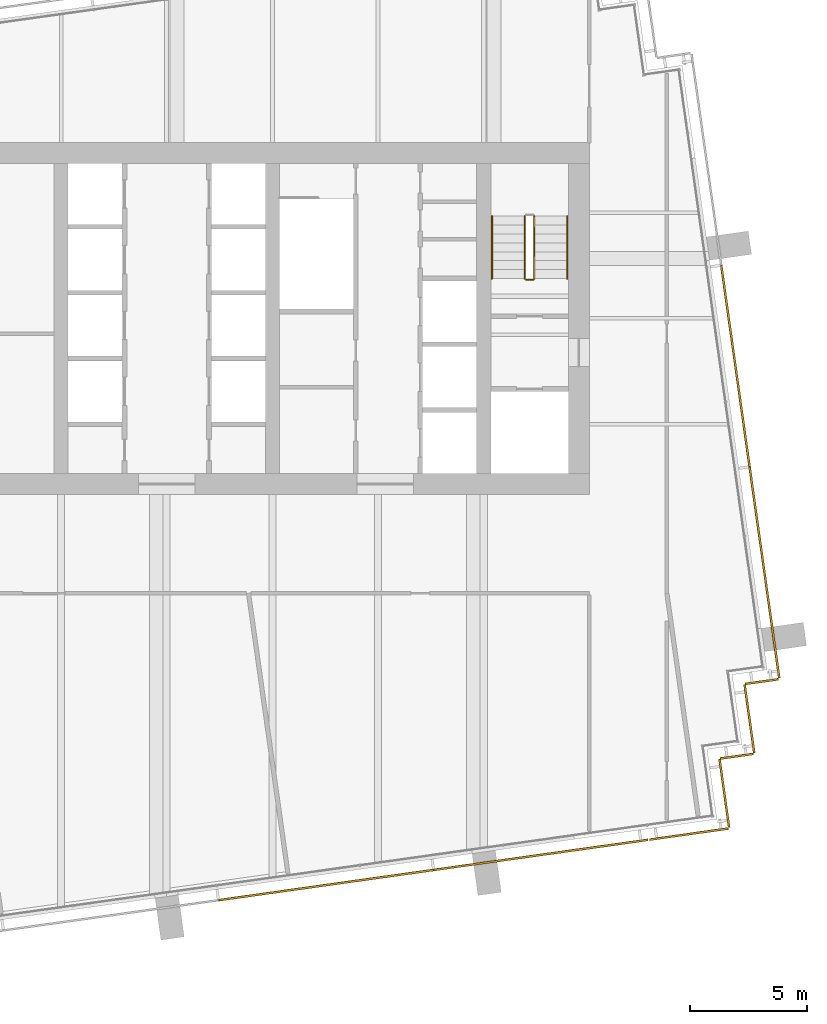
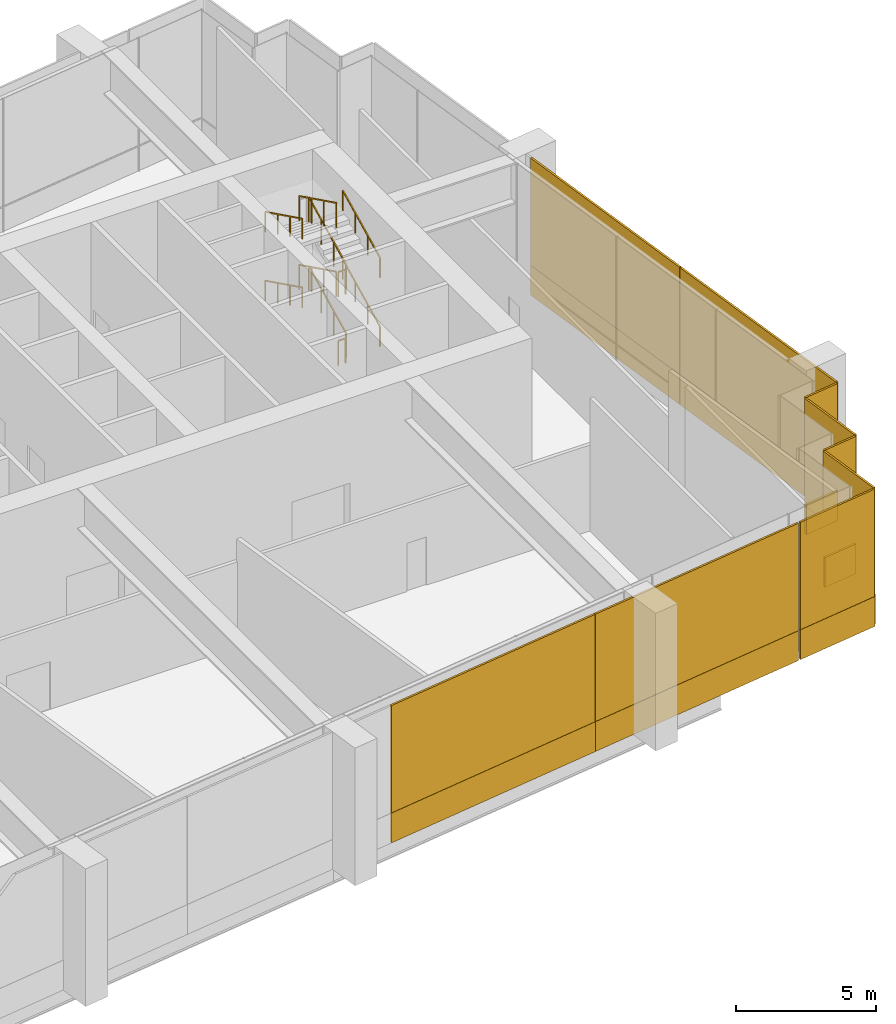
# One storey, part 23 of 25: 18 coverings, 10 railings.
"""IFC4 building model written with IfcOpenShell, lengths in metres."""

from ifc_helpers import new_model, si_unit, direction, frame, origin, origin_2d, place, context, subcontext, project, spatial, rectangle, extrude, material, layer, layer_set, type_object, element, save


model = new_model("IFC4")

# Units and contexts
model_context = context("Model", 3, precision=1e-05, world=origin(), true_north=direction((0.0, 1.0)))
body_context = subcontext(model_context, "Body", "Model", "MODEL_VIEW")
ifc_project = project(units=[si_unit("LENGTHUNIT", "METRE"), si_unit("AREAUNIT", "SQUARE_METRE"), si_unit("VOLUMEUNIT", "CUBIC_METRE"), si_unit("PLANEANGLEUNIT", "RADIAN"), si_unit("MASSUNIT", "GRAM", prefix="KILO")], contexts=[model_context])

# Site, building, storey
site_placement = place(None, origin())
site = spatial("IfcSite", under=ifc_project, at=site_placement, CompositionType="ELEMENT")
building_placement = place(site_placement, origin())
building = spatial("IfcBuilding", under=site, at=building_placement, Name="Rattan Terrace Tower", CompositionType="ELEMENT")
storey_placement = place(building_placement, frame((0.0, 0.0, 286.300048828125)))
storey = spatial("IfcBuildingStorey", under=building, at=storey_placement, Name="L66", CompositionType="ELEMENT", Elevation=286.300048828125)

# Railings
ifc_material_1 = material(Name="Powder-coated steel guard", Category="steel")
railing_type_1 = type_object("IfcRailingType", Name="Core stair guard", PredefinedType="GUARDRAIL", material=ifc_material_1)
railing_1_placement = place(storey_placement, frame((15.64990234375, 1.699951171875, 0.1875)))
element("IfcRailing", 1, at=railing_1_placement, inside=storey, type_object=railing_type_1, Name="L66 S2 stair guard 1", PredefinedType="GUARDRAIL", context=body_context, shape_type="SweptSolid", body=[
    extrude(rectangle(XDim=0.048095703125, YDim=0.048095703125, at=origin_2d()), frame((0.0, 0.0, 1.076171875), z_axis=(0.0, 0.896784984146, 0.442466600107), x_axis=(-1.0, 0.0, 0.0)), (0.0, 0.0, 1.0), 2.96630859375),
    extrude(rectangle(XDim=0.0419921875, YDim=0.0419921875, at=origin_2d()), origin(), (0.0, 0.0, 1.0), 1.052001953125),
    extrude(rectangle(XDim=0.0419921875, YDim=0.0419921875, at=origin_2d()), frame((0.0, 0.88671875, 0.4375)), (0.0, 0.0, 1.0), 1.052001953125),
    extrude(rectangle(XDim=0.0419921875, YDim=0.0419921875, at=origin_2d()), frame((0.0, 1.7734375, 0.875)), (0.0, 0.0, 1.0), 1.052001953125),
    extrude(rectangle(XDim=0.0419921875, YDim=0.0419921875, at=origin_2d()), frame((0.0, 2.66015625, 1.3125)), (0.0, 0.0, 1.0), 1.052001953125),
])
railing_2_placement = place(storey_placement, frame((15.25, 4.360107421875, 1.6875)))
element("IfcRailing", 2, at=railing_2_placement, inside=storey, type_object=railing_type_1, Name="L66 S2 stair guard 3", PredefinedType="GUARDRAIL", context=body_context, shape_type="SweptSolid", body=[
    extrude(rectangle(XDim=0.048095703125, YDim=0.048095703125, at=origin_2d()), frame((0.0, 0.0, 1.076171875), z_axis=(0.0, -0.896784984146, 0.442466600107), x_axis=(1.0, 0.0, 0.0)), (0.0, 0.0, 1.0), 2.96630859375),
    extrude(rectangle(XDim=0.0419921875, YDim=0.0419921875, at=origin_2d()), origin(), (0.0, 0.0, 1.0), 1.052001953125),
    extrude(rectangle(XDim=0.0419921875, YDim=0.0419921875, at=origin_2d()), frame((0.0, -0.88671875, 0.4375)), (0.0, 0.0, 1.0), 1.052001953125),
    extrude(rectangle(XDim=0.0419921875, YDim=0.0419921875, at=origin_2d()), frame((0.0, -1.7734375, 0.875)), (0.0, 0.0, 1.0), 1.052001953125),
    extrude(rectangle(XDim=0.0419921875, YDim=0.0419921875, at=origin_2d()), frame((0.0, -2.66015625, 1.3125)), (0.0, 0.0, 1.0), 1.052001953125),
])
railing_3_placement = place(storey_placement, frame((15.60009765625, 1.64990234375, 3.0)))
element("IfcRailing", 3, at=railing_3_placement, inside=storey, type_object=railing_type_1, Name="L66 S2 stair guard 4", PredefinedType="GUARDRAIL", context=body_context, shape_type="SweptSolid", body=[
    extrude(rectangle(XDim=0.048095703125, YDim=0.048095703125, at=origin_2d()), frame((0.0, 0.0, 1.076171875), z_axis=(-1.0, 0.0, 0.0), x_axis=(0.0, -1.0, 0.0)), (0.0, 0.0, 1.0), 0.300048828125),
    extrude(rectangle(XDim=0.0419921875, YDim=0.0419921875, at=origin_2d()), origin(), (0.0, 0.0, 1.0), 1.052001953125),
    extrude(rectangle(XDim=0.0419921875, YDim=0.0419921875, at=origin_2d()), frame((-0.300048828125, 0.0, 0.0)), (0.0, 0.0, 1.0), 1.052001953125),
])
railing_4_placement = place(storey_placement, frame((15.64990234375, 1.699951171875, 3.1875)))
element("IfcRailing", 4, at=railing_4_placement, inside=storey, type_object=railing_type_1, Name="L66 S2 stair guard 5", PredefinedType="GUARDRAIL", context=body_context, shape_type="SweptSolid", body=[
    extrude(rectangle(XDim=0.048095703125, YDim=0.048095703125, at=origin_2d()), frame((0.0, 0.0, 1.076171875), z_axis=(0.0, 0.896784984146, 0.442466600107), x_axis=(-1.0, 0.0, 0.0)), (0.0, 0.0, 1.0), 2.96630859375),
    extrude(rectangle(XDim=0.0419921875, YDim=0.0419921875, at=origin_2d()), origin(), (0.0, 0.0, 1.0), 1.052001953125),
    extrude(rectangle(XDim=0.0419921875, YDim=0.0419921875, at=origin_2d()), frame((0.0, 0.88671875, 0.4375)), (0.0, 0.0, 1.0), 1.052001953125),
    extrude(rectangle(XDim=0.0419921875, YDim=0.0419921875, at=origin_2d()), frame((0.0, 1.7734375, 0.875)), (0.0, 0.0, 1.0), 1.052001953125),
    extrude(rectangle(XDim=0.0419921875, YDim=0.0419921875, at=origin_2d()), frame((0.0, 2.66015625, 1.3125)), (0.0, 0.0, 1.0), 1.052001953125),
])
railing_5_placement = place(storey_placement, frame((15.25, 4.360107421875, 4.6875)))
element("IfcRailing", 5, at=railing_5_placement, inside=storey, type_object=railing_type_1, Name="L66 S2 stair guard 7", PredefinedType="GUARDRAIL", context=body_context, shape_type="SweptSolid", body=[
    extrude(rectangle(XDim=0.048095703125, YDim=0.048095703125, at=origin_2d()), frame((0.0, 0.0, 1.076171875), z_axis=(0.0, -0.896784984146, 0.442466600107), x_axis=(1.0, 0.0, 0.0)), (0.0, 0.0, 1.0), 2.96630859375),
    extrude(rectangle(XDim=0.0419921875, YDim=0.0419921875, at=origin_2d()), origin(), (0.0, 0.0, 1.0), 1.052001953125),
    extrude(rectangle(XDim=0.0419921875, YDim=0.0419921875, at=origin_2d()), frame((0.0, -0.88671875, 0.4375)), (0.0, 0.0, 1.0), 1.052001953125),
    extrude(rectangle(XDim=0.0419921875, YDim=0.0419921875, at=origin_2d()), frame((0.0, -1.7734375, 0.875)), (0.0, 0.0, 1.0), 1.052001953125),
    extrude(rectangle(XDim=0.0419921875, YDim=0.0419921875, at=origin_2d()), frame((0.0, -2.66015625, 1.3125)), (0.0, 0.0, 1.0), 1.052001953125),
])
railing_6_placement = place(storey_placement, frame((15.60009765625, 1.64990234375, 0.0)))
element("IfcRailing", 6, at=railing_6_placement, inside=storey, type_object=railing_type_1, Name="L66 S2 stair guard 8", PredefinedType="GUARDRAIL", context=body_context, shape_type="SweptSolid", body=[
    extrude(rectangle(XDim=0.048095703125, YDim=0.048095703125, at=origin_2d()), frame((0.0, 0.0, 1.076171875), z_axis=(-1.0, 0.0, 0.0), x_axis=(0.0, -1.0, 0.0)), (0.0, 0.0, 1.0), 0.300048828125),
    extrude(rectangle(XDim=0.0419921875, YDim=0.0419921875, at=origin_2d()), origin(), (0.0, 0.0, 1.0), 1.052001953125),
    extrude(rectangle(XDim=0.0419921875, YDim=0.0419921875, at=origin_2d()), frame((-0.300048828125, 0.0, 0.0)), (0.0, 0.0, 1.0), 1.052001953125),
])
ifc_material_2 = material(Name="Powder-coated steel handrail", Category="steel")
railing_type_2 = type_object("IfcRailingType", Name="Core stair handrail", PredefinedType="HANDRAIL", material=ifc_material_2)
railing_7_placement = place(storey_placement, frame((17.050048828125, 1.699951171875, 0.1875)))
element("IfcRailing", 7, at=railing_7_placement, inside=storey, type_object=railing_type_2, Name="L66 S2 stair handrail 1", PredefinedType="HANDRAIL", context=body_context, shape_type="SweptSolid", body=[
    extrude(rectangle(XDim=0.048095703125, YDim=0.048095703125, at=origin_2d()), frame((0.0, 0.0, 0.8759765625), z_axis=(0.0, 0.896784984146, 0.442466600107), x_axis=(-1.0, 0.0, 0.0)), (0.0, 0.0, 1.0), 2.96630859375),
    extrude(rectangle(XDim=0.0419921875, YDim=0.0419921875, at=origin_2d()), origin(), (0.0, 0.0, 1.0), 0.851806640625),
    extrude(rectangle(XDim=0.0419921875, YDim=0.0419921875, at=origin_2d()), frame((0.0, 0.88671875, 0.4375)), (0.0, 0.0, 1.0), 0.851806640625),
    extrude(rectangle(XDim=0.0419921875, YDim=0.0419921875, at=origin_2d()), frame((0.0, 1.7734375, 0.875)), (0.0, 0.0, 1.0), 0.851806640625),
    extrude(rectangle(XDim=0.0419921875, YDim=0.0419921875, at=origin_2d()), frame((0.0, 2.66015625, 1.3125)), (0.0, 0.0, 1.0), 0.851806640625),
])
railing_8_placement = place(storey_placement, frame((13.85009765625, 4.360107421875, 1.6875)))
element("IfcRailing", 8, at=railing_8_placement, inside=storey, type_object=railing_type_2, Name="L66 S2 stair handrail 2", PredefinedType="HANDRAIL", context=body_context, shape_type="SweptSolid", body=[
    extrude(rectangle(XDim=0.048095703125, YDim=0.048095703125, at=origin_2d()), frame((0.0, 0.0, 0.8759765625), z_axis=(0.0, -0.896784984146, 0.442466600107), x_axis=(1.0, 0.0, 0.0)), (0.0, 0.0, 1.0), 2.96630859375),
    extrude(rectangle(XDim=0.0419921875, YDim=0.0419921875, at=origin_2d()), origin(), (0.0, 0.0, 1.0), 0.851806640625),
    extrude(rectangle(XDim=0.0419921875, YDim=0.0419921875, at=origin_2d()), frame((0.0, -0.88671875, 0.4375)), (0.0, 0.0, 1.0), 0.851806640625),
    extrude(rectangle(XDim=0.0419921875, YDim=0.0419921875, at=origin_2d()), frame((0.0, -1.7734375, 0.875)), (0.0, 0.0, 1.0), 0.851806640625),
    extrude(rectangle(XDim=0.0419921875, YDim=0.0419921875, at=origin_2d()), frame((0.0, -2.66015625, 1.3125)), (0.0, 0.0, 1.0), 0.851806640625),
])
railing_9_placement = place(storey_placement, frame((17.050048828125, 1.699951171875, 3.1875)))
element("IfcRailing", 9, at=railing_9_placement, inside=storey, type_object=railing_type_2, Name="L66 S2 stair handrail 3", PredefinedType="HANDRAIL", context=body_context, shape_type="SweptSolid", body=[
    extrude(rectangle(XDim=0.048095703125, YDim=0.048095703125, at=origin_2d()), frame((0.0, 0.0, 0.8759765625), z_axis=(0.0, 0.896784984146, 0.442466600107), x_axis=(-1.0, 0.0, 0.0)), (0.0, 0.0, 1.0), 2.96630859375),
    extrude(rectangle(XDim=0.0419921875, YDim=0.0419921875, at=origin_2d()), origin(), (0.0, 0.0, 1.0), 0.851806640625),
    extrude(rectangle(XDim=0.0419921875, YDim=0.0419921875, at=origin_2d()), frame((0.0, 0.88671875, 0.4375)), (0.0, 0.0, 1.0), 0.851806640625),
    extrude(rectangle(XDim=0.0419921875, YDim=0.0419921875, at=origin_2d()), frame((0.0, 1.7734375, 0.875)), (0.0, 0.0, 1.0), 0.851806640625),
    extrude(rectangle(XDim=0.0419921875, YDim=0.0419921875, at=origin_2d()), frame((0.0, 2.66015625, 1.3125)), (0.0, 0.0, 1.0), 0.851806640625),
])
railing_10_placement = place(storey_placement, frame((13.85009765625, 4.360107421875, 4.6875)))
element("IfcRailing", 10, at=railing_10_placement, inside=storey, type_object=railing_type_2, Name="L66 S2 stair handrail 4", PredefinedType="HANDRAIL", context=body_context, shape_type="SweptSolid", body=[
    extrude(rectangle(XDim=0.048095703125, YDim=0.048095703125, at=origin_2d()), frame((0.0, 0.0, 0.8759765625), z_axis=(0.0, -0.896784984146, 0.442466600107), x_axis=(1.0, 0.0, 0.0)), (0.0, 0.0, 1.0), 2.96630859375),
    extrude(rectangle(XDim=0.0419921875, YDim=0.0419921875, at=origin_2d()), origin(), (0.0, 0.0, 1.0), 0.851806640625),
    extrude(rectangle(XDim=0.0419921875, YDim=0.0419921875, at=origin_2d()), frame((0.0, -0.88671875, 0.4375)), (0.0, 0.0, 1.0), 0.851806640625),
    extrude(rectangle(XDim=0.0419921875, YDim=0.0419921875, at=origin_2d()), frame((0.0, -1.7734375, 0.875)), (0.0, 0.0, 1.0), 0.851806640625),
    extrude(rectangle(XDim=0.0419921875, YDim=0.0419921875, at=origin_2d()), frame((0.0, -2.66015625, 1.3125)), (0.0, 0.0, 1.0), 0.851806640625),
])

# Coverings
ifc_material_3 = material(Name="Solid terracotta", Category="masonry")
ifc_layer_1 = layer(ifc_material_3, 0.090087890625)
ifc_layer_set_1 = layer_set([ifc_layer_1], Name="Facade Terracotta Band Panel HZ")
covering_type_1 = type_object("IfcCoveringType", Name="Facade Terracotta Band Panel HZ", PredefinedType="CLADDING", material=ifc_layer_set_1)
covering_1_placement = place(storey_placement, frame((22.237060546875, -21.960693359375, -0.18994140625), z_axis=(0.0, 0.0, 1.0), x_axis=(0.990293172258, 0.138994363123, 0.0)))
element("IfcCovering", 11, at=covering_1_placement, inside=storey, type_object=covering_type_1, Name="OUTER SKIN panel L66-1A", PredefinedType="CLADDING", context=body_context, shape_type="SweptSolid", body=[
    extrude(rectangle(XDim=3.3701171875, YDim=0.090087890625, at=origin_2d()), origin(), (0.0, 0.0, 1.0), 1.300048828125),
])
covering_2_placement = place(storey_placement, frame((23.74951171875, -20.218505859375, -0.18994140625), z_axis=(0.0, 0.0, 1.0), x_axis=(-0.138994363123, 0.990293172258, 0.0)))
element("IfcCovering", 12, at=covering_2_placement, inside=storey, type_object=covering_type_1, Name="OUTER SKIN panel L66-2A", PredefinedType="CLADDING", context=body_context, shape_type="SweptSolid", body=[
    extrude(rectangle(XDim=2.92041015625, YDim=0.090087890625, at=origin_2d()), origin(), (0.0, 0.0, 1.0), 1.300048828125),
])
covering_3_placement = place(storey_placement, frame((24.270751953125, -18.645263671875, -0.18994140625), z_axis=(0.0, 0.0, 1.0), x_axis=(0.990240767803, 0.139367219175, 0.0)))
element("IfcCovering", 13, at=covering_3_placement, inside=storey, type_object=covering_type_1, Name="OUTER SKIN panel L66-3A", PredefinedType="CLADDING", context=body_context, shape_type="SweptSolid", body=[
    extrude(rectangle(XDim=1.419921875, YDim=0.090087890625, at=origin_2d()), origin(), (0.0, 0.0, 1.0), 1.300048828125),
])
covering_4_placement = place(storey_placement, frame((24.817138671875, -17.038818359375, -0.18994140625), z_axis=(0.0, 0.0, 1.0), x_axis=(-0.139367219175, 0.990240767803, 0.0)))
element("IfcCovering", 14, at=covering_4_placement, inside=storey, type_object=covering_type_1, Name="OUTER SKIN panel L66-4A", PredefinedType="CLADDING", context=body_context, shape_type="SweptSolid", body=[
    extrude(rectangle(XDim=2.919189453125, YDim=0.090087890625, at=origin_2d()), origin(), (0.0, 0.0, 1.0), 1.300048828125),
])
covering_5_placement = place(storey_placement, frame((25.33837890625, -15.46630859375, -0.18994140625), z_axis=(0.0, 0.0, 1.0), x_axis=(0.99025370695, 0.139275252184, 0.0)))
element("IfcCovering", 15, at=covering_5_placement, inside=storey, type_object=covering_type_1, Name="OUTER SKIN panel L66-5A", PredefinedType="CLADDING", context=body_context, shape_type="SweptSolid", body=[
    extrude(rectangle(XDim=1.420654296875, YDim=0.090087890625, at=origin_2d()), origin(), (0.0, 0.0, 1.0), 1.300048828125),
])
covering_6_placement = place(storey_placement, frame((25.45751953125, -10.81591796875, -0.18994140625), z_axis=(0.0, 0.0, 1.0), x_axis=(-0.139191775431, 0.990265444036, 0.0)))
element("IfcCovering", 16, at=covering_6_placement, inside=storey, type_object=covering_type_1, Name="OUTER SKIN panel L66-6A", PredefinedType="CLADDING", context=body_context, shape_type="SweptSolid", body=[
    extrude(rectangle(XDim=9.06689453125, YDim=0.090087890625, at=origin_2d()), origin(), (0.0, 0.0, 1.0), 1.300048828125),
])
covering_7_placement = place(storey_placement, frame((24.221923828125, -2.025390625, -0.18994140625), z_axis=(0.0, 0.0, 1.0), x_axis=(-0.139191775431, 0.990265444036, 0.0)))
element("IfcCovering", 17, at=covering_7_placement, inside=storey, type_object=covering_type_1, Name="OUTER SKIN panel L66-7A", PredefinedType="CLADDING", context=body_context, shape_type="SweptSolid", body=[
    extrude(rectangle(XDim=8.64697265625, YDim=0.090087890625, at=origin_2d()), origin(), (0.0, 0.0, 1.0), 1.300048828125),
])
covering_8_placement = place(storey_placement, frame((6.7861328125, -24.132080078125, -0.18994140625), z_axis=(0.0, 0.0, 1.0), x_axis=(0.990265894013, 0.139188574079, 0.0)))
element("IfcCovering", 18, at=covering_8_placement, inside=storey, type_object=covering_type_1, Name="OUTER SKIN panel L66-33A", PredefinedType="CLADDING", context=body_context, shape_type="SweptSolid", body=[
    extrude(rectangle(XDim=9.22900390625, YDim=0.090087890625, at=origin_2d()), origin(), (0.0, 0.0, 1.0), 1.300048828125),
])
covering_9_placement = place(storey_placement, frame((15.932373046875, -22.846435546875, -0.18994140625), z_axis=(0.0, 0.0, 1.0), x_axis=(0.990265894013, 0.139188574079, 0.0)))
element("IfcCovering", 19, at=covering_9_placement, inside=storey, type_object=covering_type_1, Name="OUTER SKIN panel L66-34A", PredefinedType="CLADDING", context=body_context, shape_type="SweptSolid", body=[
    extrude(rectangle(XDim=9.203125, YDim=0.090087890625, at=origin_2d()), origin(), (0.0, 0.0, 1.0), 1.300048828125),
])
ifc_material_4 = material(Name="Perforated terracotta", Category="masonry")
ifc_layer_2 = layer(ifc_material_4, 0.080078125)
ifc_layer_set_2 = layer_set([ifc_layer_2], Name="Facade Terracotta Screen Panel HZ")
covering_type_2 = type_object("IfcCoveringType", Name="Facade Terracotta Screen Panel HZ", PredefinedType="CLADDING", material=ifc_layer_set_2)
covering_10_placement = place(storey_placement, frame((22.236328125, -21.955810546875, 1.10986328125), z_axis=(0.0, 0.0, 1.0), x_axis=(0.990293172258, 0.138994363123, 0.0)))
element("IfcCovering", 20, at=covering_10_placement, inside=storey, type_object=covering_type_2, Name="OUTER SKIN panel L66-1B", PredefinedType="CLADDING", context=body_context, shape_type="SweptSolid", body=[
    extrude(rectangle(XDim=3.3701171875, YDim=0.080078125, at=origin_2d()), origin(), (0.0, 0.0, 1.0), 4.679931640625),
])
covering_11_placement = place(storey_placement, frame((23.74462890625, -20.218994140625, 1.10986328125), z_axis=(0.0, 0.0, 1.0), x_axis=(-0.138994363123, 0.990293172258, 0.0)))
element("IfcCovering", 21, at=covering_11_placement, inside=storey, type_object=covering_type_2, Name="OUTER SKIN panel L66-2B", PredefinedType="CLADDING", context=body_context, shape_type="SweptSolid", body=[
    extrude(rectangle(XDim=2.92041015625, YDim=0.080078125, at=origin_2d()), origin(), (0.0, 0.0, 1.0), 4.679931640625),
])
covering_12_placement = place(storey_placement, frame((24.27001953125, -18.640380859375, 1.10986328125), z_axis=(0.0, 0.0, 1.0), x_axis=(0.990240767803, 0.139367219175, 0.0)))
element("IfcCovering", 22, at=covering_12_placement, inside=storey, type_object=covering_type_2, Name="OUTER SKIN panel L66-3B", PredefinedType="CLADDING", context=body_context, shape_type="SweptSolid", body=[
    extrude(rectangle(XDim=1.419921875, YDim=0.080078125, at=origin_2d()), origin(), (0.0, 0.0, 1.0), 4.679931640625),
])
covering_13_placement = place(storey_placement, frame((24.812255859375, -17.03955078125, 1.10986328125), z_axis=(0.0, 0.0, 1.0), x_axis=(-0.139367219175, 0.990240767803, 0.0)))
element("IfcCovering", 23, at=covering_13_placement, inside=storey, type_object=covering_type_2, Name="OUTER SKIN panel L66-4B", PredefinedType="CLADDING", context=body_context, shape_type="SweptSolid", body=[
    extrude(rectangle(XDim=2.919189453125, YDim=0.080078125, at=origin_2d()), origin(), (0.0, 0.0, 1.0), 4.679931640625),
])
covering_14_placement = place(storey_placement, frame((25.337646484375, -15.46142578125, 1.10986328125), z_axis=(0.0, 0.0, 1.0), x_axis=(0.99025370695, 0.139275252184, 0.0)))
element("IfcCovering", 24, at=covering_14_placement, inside=storey, type_object=covering_type_2, Name="OUTER SKIN panel L66-5B", PredefinedType="CLADDING", context=body_context, shape_type="SweptSolid", body=[
    extrude(rectangle(XDim=1.420654296875, YDim=0.080078125, at=origin_2d()), origin(), (0.0, 0.0, 1.0), 4.679931640625),
])
covering_15_placement = place(storey_placement, frame((25.45263671875, -10.816650390625, 1.10986328125), z_axis=(0.0, 0.0, 1.0), x_axis=(-0.139191775431, 0.990265444036, 0.0)))
element("IfcCovering", 25, at=covering_15_placement, inside=storey, type_object=covering_type_2, Name="OUTER SKIN panel L66-6B", PredefinedType="CLADDING", context=body_context, shape_type="SweptSolid", body=[
    extrude(rectangle(XDim=9.06689453125, YDim=0.080078125, at=origin_2d()), origin(), (0.0, 0.0, 1.0), 4.679931640625),
])
covering_16_placement = place(storey_placement, frame((24.217041015625, -2.026123046875, 1.10986328125), z_axis=(0.0, 0.0, 1.0), x_axis=(-0.139191775431, 0.990265444036, 0.0)))
element("IfcCovering", 26, at=covering_16_placement, inside=storey, type_object=covering_type_2, Name="OUTER SKIN panel L66-7B", PredefinedType="CLADDING", context=body_context, shape_type="SweptSolid", body=[
    extrude(rectangle(XDim=8.64697265625, YDim=0.080078125, at=origin_2d()), origin(), (0.0, 0.0, 1.0), 4.679931640625),
])
covering_17_placement = place(storey_placement, frame((6.785400390625, -24.127197265625, 1.10986328125), z_axis=(0.0, 0.0, 1.0), x_axis=(0.990265894013, 0.139188574079, 0.0)))
element("IfcCovering", 27, at=covering_17_placement, inside=storey, type_object=covering_type_2, Name="OUTER SKIN panel L66-33B", PredefinedType="CLADDING", context=body_context, shape_type="SweptSolid", body=[
    extrude(rectangle(XDim=9.22900390625, YDim=0.080078125, at=origin_2d()), origin(), (0.0, 0.0, 1.0), 4.679931640625),
])
covering_18_placement = place(storey_placement, frame((15.931640625, -22.841552734375, 1.10986328125), z_axis=(0.0, 0.0, 1.0), x_axis=(0.990265894013, 0.139188574079, 0.0)))
element("IfcCovering", 28, at=covering_18_placement, inside=storey, type_object=covering_type_2, Name="OUTER SKIN panel L66-34B", PredefinedType="CLADDING", context=body_context, shape_type="SweptSolid", body=[
    extrude(rectangle(XDim=9.203125, YDim=0.080078125, at=origin_2d()), origin(), (0.0, 0.0, 1.0), 4.679931640625),
])

save(model, "model.ifc")
